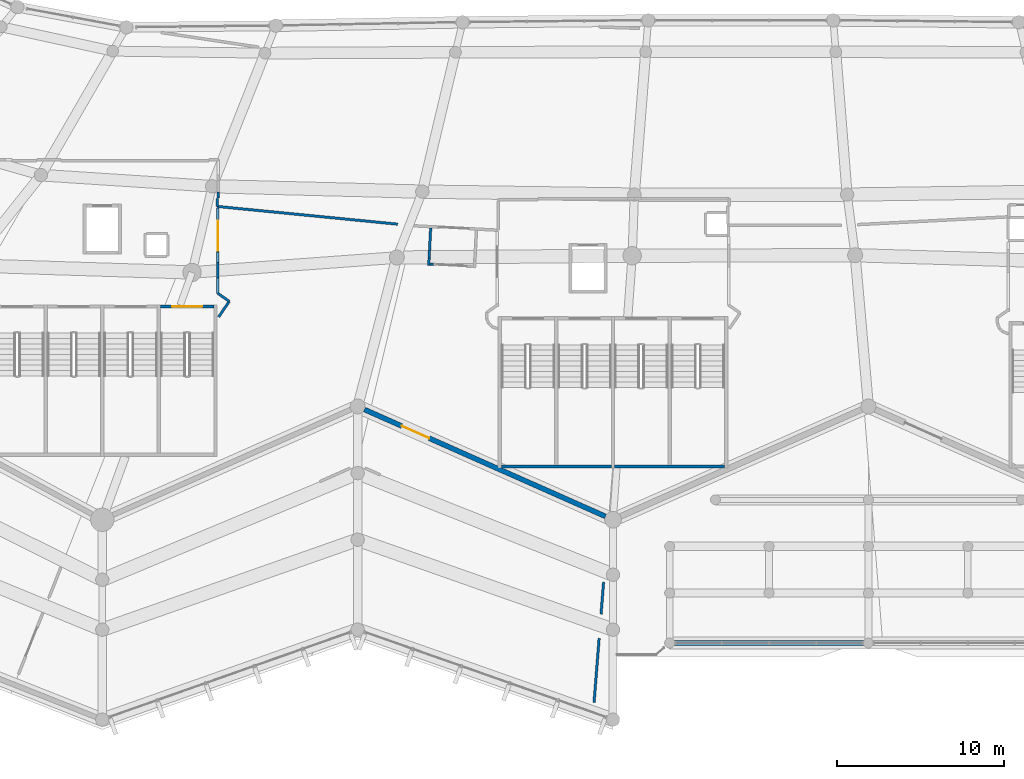
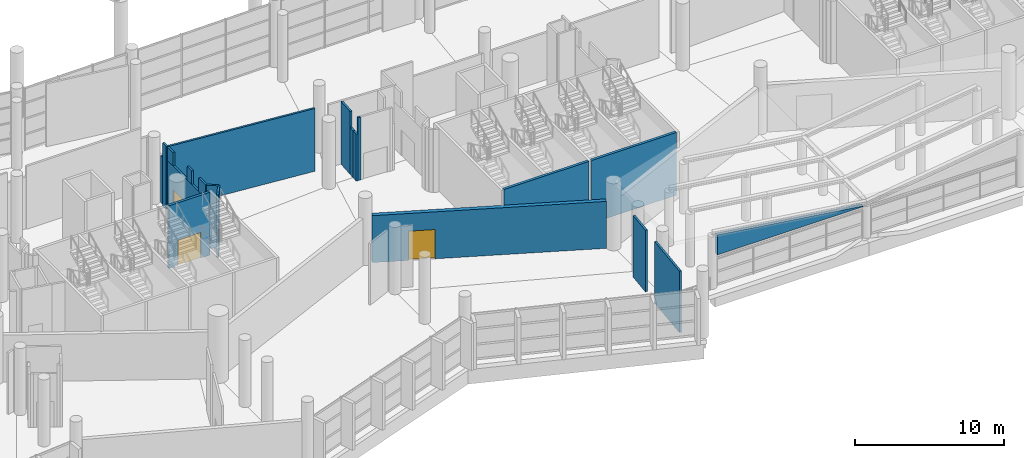
# One storey, part 163 of 271: 20 walls, 3 doors, 3 openings.
"""IFC4 building model written with IfcOpenShell, lengths in metres."""

import ifcopenshell
import ifcopenshell.guid

model = None  # the IFC model being written
_history = None  # IfcOwnerHistory: only IFC2X3 demands one
_inside = {}  # id of a spatial element -> (the spatial element, [elements in it])
_under = {}  # id of a project, library or spatial element -> (it, [spatial elements below it])
_declared = {}  # id of a project -> (the project, [libraries it declares])
_typed = {}  # id of a type object -> (the type object, [elements of that type])
_made_of = {}  # id of a material, layer set ... -> (it, [elements and type objects made of it])


def new_model(schema):
    """Start an empty IFC model of exactly this schema.

    Asked for "IFC4X3", IfcOpenShell would pick the latest addendum, in which some entities
    have other attributes; the version numbers below select the first issue.
    IFC2X3 requires an IfcOwnerHistory on every rooted entity: one is made here for all.
    """
    global model, _history
    if schema == "IFC4X3":
        model = ifcopenshell.file(schema_version=(4, 3, 0, 0))
    else:
        model = ifcopenshell.file(schema=schema)
    _inside.clear()
    _under.clear()
    _declared.clear()
    _typed.clear()
    _made_of.clear()
    _history = None
    if model.schema == "IFC2X3":
        org = make("IfcOrganization", Name="unknown")
        user = make(
            "IfcPersonAndOrganization",
            ThePerson=make("IfcPerson", FamilyName="unknown"),
            TheOrganization=org,
        )
        app = make(
            "IfcApplication",
            ApplicationDeveloper=org,
            Version="unknown",
            ApplicationFullName="unknown",
            ApplicationIdentifier="unknown",
        )
        _history = make(
            "IfcOwnerHistory",
            OwningUser=user,
            OwningApplication=app,
            ChangeAction="ADDED",
            CreationDate=0,
        )
    return model


def make(cls, **values):
    """One entity of the class cls with the attributes given. An attribute that is None is left unset."""
    return model.create_entity(
        cls, **{name: value for name, value in values.items() if value is not None}
    )


def rooted(cls, **values):
    """An entity with a GlobalId (a new one), such as an element, a storey or a relation."""
    return make(cls, GlobalId=ifcopenshell.guid.new(), OwnerHistory=_history, **values)


def si_unit(unit_type, name, prefix=None):
    """IfcSIUnit, for example si_unit("LENGTHUNIT", "METRE", prefix="MILLI")."""
    return make("IfcSIUnit", UnitType=unit_type, Prefix=prefix, Name=name)


def assignment(units):
    """IfcUnitAssignment: the units of a project."""
    return None if units is None else make("IfcUnitAssignment", Units=units)


def point(xyz):
    """IfcCartesianPoint."""
    return None if xyz is None else make("IfcCartesianPoint", Coordinates=xyz)


def direction(xyz):
    """IfcDirection."""
    return None if xyz is None else make("IfcDirection", DirectionRatios=xyz)


def frame(location, z_axis=None, x_axis=None):
    """IfcAxis2Placement3D, a coordinate frame: its origin and axes. An axis left out is left unset."""
    return make(
        "IfcAxis2Placement3D",
        Location=point(location),
        Axis=direction(z_axis),
        RefDirection=direction(x_axis),
    )


def frame_2d(location, x_axis=None):
    """IfcAxis2Placement2D, a coordinate frame in the plane: its origin and x axis."""
    return make(
        "IfcAxis2Placement2D", Location=point(location), RefDirection=direction(x_axis)
    )


def origin():
    """The frame at (0, 0, 0) with its axes left unset."""
    return frame((0.0, 0.0, 0.0))


def place(relative_to, where):
    """IfcLocalPlacement: puts the frame where relative to a parent placement (None: the world)."""
    return make(
        "IfcLocalPlacement", PlacementRelTo=relative_to, RelativePlacement=where
    )


def context(
    kind, dimensions, precision=None, world=None, true_north=None, identifier=None
):
    """IfcGeometricRepresentationContext, for example the 3D "Model" context."""
    return make(
        "IfcGeometricRepresentationContext",
        ContextIdentifier=identifier,
        ContextType=kind,
        CoordinateSpaceDimension=dimensions,
        Precision=precision,
        WorldCoordinateSystem=world,
        TrueNorth=true_north,
    )


def subcontext(parent, identifier, kind, view, scale=None):
    """IfcGeometricRepresentationSubContext, for example "Body" below "Model"."""
    return make(
        "IfcGeometricRepresentationSubContext",
        ContextIdentifier=identifier,
        ContextType=kind,
        ParentContext=parent,
        TargetScale=scale,
        TargetView=view,
    )


def project(units=None, contexts=None):
    """IfcProject with its units and contexts."""
    return rooted(
        "IfcProject",
        Name="project",
        RepresentationContexts=contexts,
        UnitsInContext=assignment(units),
    )


def spatial(cls, under=None, at=None, **own):
    """A site, building, storey or space (cls), placed at a placement, below another one or the project."""
    s = rooted(cls, ObjectPlacement=at, **own)
    if under is not None:
        _under.setdefault(under.id(), (under, []))[1].append(s)
    return s


def polyline(points):
    """IfcPolyline through the points."""
    return make("IfcPolyline", Points=[point(p) for p in points])


def profile(cls, at=None, kind="AREA", **sizes):
    """A parametric profile (cls). Its sizes go by their IFC names, for example OverallWidth=200.0."""
    return make(cls, ProfileType=kind, Position=at, **sizes)


def rectangle(**sizes):
    """IfcRectangleProfileDef."""
    return profile("IfcRectangleProfileDef", **sizes)


def outline(outer, holes=None, kind="AREA"):
    """IfcArbitraryClosedProfileDef: a profile drawn as a closed curve; with holes, ...WithVoids."""
    if holes is None:
        return make("IfcArbitraryClosedProfileDef", ProfileType=kind, OuterCurve=outer)
    return make(
        "IfcArbitraryProfileDefWithVoids",
        ProfileType=kind,
        OuterCurve=outer,
        InnerCurves=holes,
    )


def extrude(swept, where, along, depth):
    """IfcExtrudedAreaSolid: the profile swept, set in the frame where, extruded along a direction by depth."""
    return make(
        "IfcExtrudedAreaSolid",
        SweptArea=swept,
        Position=where,
        ExtrudedDirection=direction(along),
        Depth=depth,
    )


def shape(context_of_items, identifier, shape_type, items):
    """IfcShapeRepresentation: the items that make up one representation, for example the "Body"."""
    return make(
        "IfcShapeRepresentation",
        ContextOfItems=context_of_items,
        RepresentationIdentifier=identifier,
        RepresentationType=shape_type,
        Items=items,
    )


def material(Name=None, Category=None):
    """IfcMaterial."""
    return make("IfcMaterial", Name=Name, Category=Category)


def layer(
    of_material, thickness, ventilated=None, Name=None, Category=None, Priority=None
):
    """IfcMaterialLayer: one layer of a wall or slab, of a material (None: an air gap)."""
    return make(
        "IfcMaterialLayer",
        Material=of_material,
        LayerThickness=thickness,
        IsVentilated=ventilated,
        Name=Name,
        Category=Category,
        Priority=Priority,
    )


def layer_set(layers, Name=None):
    """IfcMaterialLayerSet."""
    return make("IfcMaterialLayerSet", MaterialLayers=layers, LayerSetName=Name)


def made_of(thing, what):
    """Note that an element or type object is made of a material, layer set ...; save() writes the relation."""
    if what is not None:
        _made_of.setdefault(what.id(), (what, []))[1].append(thing)
    return thing


def type_object(cls, material=None, **own):
    """A type object (cls), such as IfcWallType, which elements share."""
    return made_of(rooted(cls, **own), material)


def element(
    cls,
    number,
    at=None,
    inside=None,
    cuts=None,
    type_object=None,
    material=None,
    context=None,
    identifier="Body",
    shape_type=None,
    held_by="IfcProductDefinitionShape",
    body=None,
    shapes=None,
    **own,
):
    """One element of the class cls, such as IfcWall. Its Tag is "e" and its number.

    at: its placement. inside: the storey or other place that contains it. cuts: it is an
    opening in that element (IfcRelVoidsElement). A single representation is given by context,
    identifier, shape_type and body (its items); several are given by shapes. held_by: the class
    of the entity that holds the representations. save() writes the other relations.
    """
    e = rooted(cls, Tag="e%d" % number, ObjectPlacement=at, **own)
    if body is not None:
        shapes = [shape(context, identifier, shape_type, body)]
    if shapes is not None:
        e.Representation = make(held_by, Representations=shapes)
    if inside is not None:
        _inside.setdefault(inside.id(), (inside, []))[1].append(e)
    if cuts is not None:
        rooted(
            "IfcRelVoidsElement", RelatingBuildingElement=cuts, RelatedOpeningElement=e
        )
    if type_object is not None:
        _typed.setdefault(type_object.id(), (type_object, []))[1].append(e)
    return made_of(e, material)


def fill(opening, filler):
    """IfcRelFillsElement: the door or window that sits in an opening."""
    return rooted(
        "IfcRelFillsElement",
        RelatingOpeningElement=opening,
        RelatedBuildingElement=filler,
    )


def aggregate(whole, parts):
    """IfcRelAggregates: a whole, such as a stair, and the parts it consists of."""
    return rooted("IfcRelAggregates", RelatingObject=whole, RelatedObjects=parts)


def save(model, path):
    """Write the relations noted so far, then the file.

    IfcRelAggregates (storeys below a building ...), IfcRelContainedInSpatialStructure (elements
    in a storey), IfcRelDefinesByType, IfcRelAssociatesMaterial and IfcRelDeclares: one each for
    every whole, place, type object, material and project.
    """
    for whole, parts in _under.values():
        aggregate(whole, parts)
    for where, things in _inside.values():
        rooted(
            "IfcRelContainedInSpatialStructure",
            RelatedElements=things,
            RelatingStructure=where,
        )
    for kind, things in _typed.values():
        rooted("IfcRelDefinesByType", RelatedObjects=things, RelatingType=kind)
    for what, things in _made_of.values():
        rooted("IfcRelAssociatesMaterial", RelatedObjects=things, RelatingMaterial=what)
    for by, libraries in _declared.values():
        rooted("IfcRelDeclares", RelatingContext=by, RelatedDefinitions=libraries)
    model.write(path)


model = new_model("IFC4")

# Units and contexts
model_context = context("Model", 3, precision=1e-05, world=origin(), true_north=direction((0.0, 1.0)))
body_context = subcontext(model_context, "Body", "Model", "MODEL_VIEW")
ifc_project = project(units=[si_unit("LENGTHUNIT", "METRE"), si_unit("AREAUNIT", "SQUARE_METRE"), si_unit("VOLUMEUNIT", "CUBIC_METRE"), si_unit("PLANEANGLEUNIT", "RADIAN"), si_unit("MASSUNIT", "GRAM", prefix="KILO")], contexts=[model_context])

# Site, building, storey
site_placement = place(None, origin())
site = spatial("IfcSite", under=ifc_project, at=site_placement, CompositionType="ELEMENT")
building_placement = place(site_placement, origin())
building = spatial("IfcBuilding", under=site, at=building_placement, Name="Meseta Stadium", CompositionType="ELEMENT")
storey_placement = place(building_placement, frame((0.0, 0.0, 6.5)))
storey = spatial("IfcBuildingStorey", under=building, at=storey_placement, Name="L01", CompositionType="ELEMENT", Elevation=6.5)

# Wall, opening, door
ifc_material_1 = material(Name="Concrete C40/50", Category="concrete")
ifc_layer_1 = layer(ifc_material_1, 0.199951171875)
ifc_layer_set_1 = layer_set([ifc_layer_1], Name="Core shaft wall 200")
wall_type_1 = type_object("IfcWallType", Name="Core shaft wall 200", PredefinedType="SHEAR", material=ifc_layer_set_1)
wall_1_placement = place(storey_placement, frame((-34.833251953125, -92.60009765625, 0.0), z_axis=(0.0, 0.0, 1.0), x_axis=(1.0, 0.0, 0.0)))
wall_1 = element("IfcWall", 1, at=wall_1_placement, inside=storey, type_object=wall_type_1, Name="Core 23 L01 stair B2 inner end wall", PredefinedType="SHEAR", context=body_context, shape_type="SweptSolid", body=[
    extrude(rectangle(XDim=3.199951171875, YDim=0.199951171875, at=frame_2d((1.60009765625, 0.0))), origin(), (0.0, 0.0, 1.0), 5.14990234375),
])
opening_1_placement = place(wall_1_placement, frame((0.699951171875, 0.0, 0.0)))
opening_1 = element("IfcOpeningElement", 2, at=opening_1_placement, cuts=wall_1, Name="Opening D316", PredefinedType="OPENING", context=body_context, shape_type="SweptSolid", body=[
    extrude(rectangle(XDim=1.800048828125, YDim=2.10009765625, at=frame_2d((0.89990234375, 1.050048828125))), frame((0.0, 0.10986328125, 0.0), z_axis=(0.0, -1.0, 0.0), x_axis=(1.0, 0.0, 0.0)), (0.0, 0.0, 1.0), 0.219970703125),
])
ifc_material_2 = material(Name="Steel", Category="steel")
door_type_1 = type_object("IfcDoorType", Name="Stair door 1800x2100", OperationType="DOUBLE_DOOR_SINGLE_SWING", PredefinedType="DOOR", material=ifc_material_2)
door_1_placement = place(opening_1_placement, origin())
door_1 = element("IfcDoor", 3, at=door_1_placement, inside=storey, type_object=door_type_1, Name="Stair B2 door 23 L01", OperationType="DOUBLE_DOOR_SINGLE_SWING", OverallHeight=2.10009765625, OverallWidth=1.800048828125, PredefinedType="DOOR", context=body_context, shape_type="SweptSolid", body=[
    extrude(rectangle(XDim=1.800048828125, YDim=2.10009765625, at=frame_2d((0.89990234375, 1.050048828125))), frame((0.0, 0.02490234375, 0.0), z_axis=(0.0, -1.0, 0.0), x_axis=(1.0, 0.0, 0.0)), (0.0, 0.0, 1.0), 0.050048828125),
])
fill(opening_1, door_1)

# Walls
wall_2_placement = place(storey_placement, frame((-14.36669921875, -102.199951171875, 0.0), z_axis=(0.0, 0.0, 1.0), x_axis=(1.0, 0.0, 0.0)))
element("IfcWall", 4, at=wall_2_placement, inside=storey, type_object=wall_type_1, Name="Core 24 L01 stair A outer end wall", PredefinedType="SHEAR", context=body_context, shape_type="SweptSolid", body=[
    extrude(rectangle(XDim=6.60009765625, YDim=0.199951171875, at=frame_2d((3.300048828125, 0.0))), origin(), (0.0, 0.0, 1.0), 5.14990234375),
])
wall_3_placement = place(storey_placement, frame((-7.566650390625, -102.199951171875, 0.0), z_axis=(0.0, 0.0, 1.0), x_axis=(1.0, 0.0, 0.0)))
element("IfcWall", 5, at=wall_3_placement, inside=storey, type_object=wall_type_1, Name="Core 24 L01 stair B outer end wall", PredefinedType="SHEAR", context=body_context, shape_type="SweptSolid", body=[
    extrude(rectangle(XDim=6.599853515625, YDim=0.199951171875, at=frame_2d((3.2998046875, 0.0))), origin(), (0.0, 0.0, 1.0), 5.14990234375),
])
ifc_material_3 = material(Name="Precast concrete C40/50", Category="concrete")
ifc_layer_2 = layer(ifc_material_3, 0.300048828125)
ifc_layer_set_2 = layer_set([ifc_layer_2], Name="Gate facade panel wall 300")
wall_type_2 = type_object("IfcWallType", Name="Gate facade panel wall 300", PredefinedType="SOLIDWALL", material=ifc_layer_set_2)
wall_4_placement = place(storey_placement, frame((-3.966796875, -112.800048828125, 2.599365234375), z_axis=(0.0, 0.0, 1.0), x_axis=(1.0, 0.0, 0.0)))
element("IfcWall", 6, at=wall_4_placement, inside=storey, type_object=wall_type_2, Name="Gate 7 gable panel wall", PredefinedType="SOLIDWALL", context=body_context, shape_type="SweptSolid", body=[
    extrude(outline(polyline([(0.0, 0.0), (11.33349609375, 0.0), (11.333251953125, 0.052001953125), (0.0, 1.638671875), (0.0, 0.0)])), frame((0.0, 0.14990234375, 0.0), z_axis=(0.0, -1.0, 0.0), x_axis=(1.0, 0.0, 0.0)), (0.0, 0.0, 1.0), 0.300048828125),
])
ifc_material_4 = material(Name="Masonry blockwork", Category="masonry")
ifc_layer_3 = layer(ifc_material_4, 0.14990234375)
ifc_layer_set_3 = layer_set([ifc_layer_3], Name="Partition 150")
wall_type_3 = type_object("IfcWallType", Name="Partition 150", PredefinedType="PARTITIONING", material=ifc_layer_set_3)
wall_5_placement = place(storey_placement, frame((-20.5927734375, -87.6533203125, 0.0), z_axis=(0.0, 0.0, 1.0), x_axis=(-0.995211610703, 0.097743797362, 0.0)))
element("IfcWall", 7, at=wall_5_placement, inside=storey, type_object=wall_type_3, Name="Partition L01 L01-cell22-0-0", PredefinedType="PARTITIONING", context=body_context, shape_type="SweptSolid", body=[
    extrude(rectangle(XDim=10.892822265625, YDim=0.14990234375, at=frame_2d((5.4462890625, 0.0))), origin(), (0.0, 0.0, 1.0), 5.14990234375),
])
wall_6_placement = place(storey_placement, frame((-31.433349609375, -86.588623046875, 0.0), z_axis=(0.0, 0.0, 1.0), x_axis=(0.0, 1.0, 0.0)))
element("IfcWall", 8, at=wall_6_placement, inside=storey, type_object=wall_type_3, Name="Partition L01 L01-cell22-0-0", PredefinedType="PARTITIONING", context=body_context, shape_type="SweptSolid", body=[
    extrude(rectangle(XDim=0.48974609375, YDim=0.14990234375, at=frame_2d((0.244873046875, 0.0))), origin(), (0.0, 0.0, 1.0), 5.14990234375),
])
wall_7_placement = place(storey_placement, frame((-8.23388671875, -109.147216796875, 0.0), z_axis=(0.0, 0.0, 1.0), x_axis=(-0.079152200881, -0.996862542729, 0.0)))
element("IfcWall", 9, at=wall_7_placement, inside=storey, type_object=wall_type_3, Name="Partition L01 L01-ring22-0", PredefinedType="PARTITIONING", context=body_context, shape_type="SweptSolid", body=[
    extrude(rectangle(XDim=1.930908203125, YDim=0.14990234375, at=frame_2d((0.96533203125, 0.0))), origin(), (0.0, 0.0, 1.0), 5.050048828125),
])
wall_8_placement = place(storey_placement, frame((-8.501220703125, -112.515625, 0.0), z_axis=(0.0, 0.0, 1.0), x_axis=(-0.079152200881, -0.996862542729, 0.0)))
element("IfcWall", 10, at=wall_8_placement, inside=storey, type_object=wall_type_3, Name="Partition L01 L01-ring22-0", PredefinedType="PARTITIONING", context=body_context, shape_type="SweptSolid", body=[
    extrude(rectangle(XDim=3.86181640625, YDim=0.14990234375, at=frame_2d((1.930908203125, 0.0))), origin(), (0.0, 0.0, 1.0), 5.050048828125),
])
wall_9_placement = place(storey_placement, frame((-31.34375, -93.2197265625, 0.0), z_axis=(0.0, 0.0, 1.0), x_axis=(0.562120553728, 0.827055308354, 0.0)))
element("IfcWall", 11, at=wall_9_placement, inside=storey, type_object=wall_type_3, Name="Stair vestibule wall L01 core 23", PredefinedType="PARTITIONING", context=body_context, shape_type="SweptSolid", body=[
    extrude(rectangle(XDim=1.1279296875, YDim=0.14990234375, at=frame_2d((0.56396484375, 0.0))), origin(), (0.0, 0.0, 1.0), 5.14990234375),
])
wall_10_placement = place(storey_placement, frame((-30.709716796875, -92.286865234375, 0.0), z_axis=(0.0, 0.0, 1.0), x_axis=(-0.81774999294, 0.575573582652, 0.0)))
element("IfcWall", 12, at=wall_10_placement, inside=storey, type_object=wall_type_3, Name="Stair vestibule wall L01 core 23", PredefinedType="PARTITIONING", context=body_context, shape_type="SweptSolid", body=[
    extrude(rectangle(XDim=0.82958984375, YDim=0.14990234375, at=frame_2d((0.414794921875, 0.0))), origin(), (0.0, 0.0, 1.0), 5.14990234375),
])

# Wall, opening, door
wall_11_placement = place(storey_placement, frame((-31.38818359375, -91.809326171875, 0.0), z_axis=(0.0, 0.0, 1.0), x_axis=(0.0, 1.0, 0.0)))
wall_11 = element("IfcWall", 13, at=wall_11_placement, inside=storey, type_object=wall_type_3, Name="Stair vestibule wall L01 core 23", PredefinedType="PARTITIONING", context=body_context, shape_type="SweptSolid", body=[
    extrude(rectangle(XDim=5.132568359375, YDim=0.14990234375, at=frame_2d((2.56640625, 0.0))), origin(), (0.0, 0.0, 1.0), 4.050048828125),
])
opening_2_placement = place(wall_11_placement, frame((2.550048828125, 0.0, 0.0)))
opening_2 = element("IfcOpeningElement", 14, at=opening_2_placement, cuts=wall_11, Name="Opening D802", PredefinedType="OPENING", context=body_context, shape_type="SweptSolid", body=[
    extrude(rectangle(XDim=1.800048828125, YDim=2.10009765625, at=frame_2d((0.89990234375, 1.050048828125))), frame((0.0, 0.0849609375, 0.0), z_axis=(0.0, -1.0, 0.0), x_axis=(1.0, 0.0, 0.0)), (0.0, 0.0, 1.0), 0.169921875),
])
ifc_material_5 = material(Name="Steel", Category="steel")
door_type_2 = type_object("IfcDoorType", Name="Fire double door 1800x2100 EI2 60", OperationType="DOUBLE_DOOR_SINGLE_SWING", PredefinedType="DOOR", material=ifc_material_5)
door_2_placement = place(opening_2_placement, origin())
door_2 = element("IfcDoor", 15, at=door_2_placement, inside=storey, type_object=door_type_2, Name="Stair vestibule door L01 core 23", OperationType="DOUBLE_DOOR_SINGLE_SWING", OverallHeight=2.10009765625, OverallWidth=1.800048828125, PredefinedType="DOOR", context=body_context, shape_type="SweptSolid", body=[
    extrude(rectangle(XDim=1.800048828125, YDim=2.10009765625, at=frame_2d((0.89990234375, 1.050048828125))), frame((0.0, 0.02490234375, 0.0), z_axis=(0.0, -1.0, 0.0), x_axis=(1.0, 0.0, 0.0)), (0.0, 0.0, 1.0), 0.050048828125),
])
fill(opening_2, door_2)

# Walls
wall_12_placement = place(storey_placement, frame((-31.38818359375, -91.809326171875, 4.050048828125), z_axis=(0.0, 0.0, 1.0), x_axis=(0.0, 1.0, 0.0)))
element("IfcWall", 16, at=wall_12_placement, inside=storey, type_object=wall_type_3, Name="Stair vestibule wall L01 core 23", PredefinedType="PARTITIONING", context=body_context, shape_type="SweptSolid", body=[
    extrude(rectangle(XDim=0.934814453125, YDim=0.14990234375, at=frame_2d((0.46728515625, 0.0))), origin(), (0.0, 0.0, 1.0), 1.099853515625),
])
wall_13_placement = place(storey_placement, frame((-31.38818359375, -89.939697265625, 4.050048828125), z_axis=(0.0, 0.0, 1.0), x_axis=(0.0, 1.0, 0.0)))
element("IfcWall", 17, at=wall_13_placement, inside=storey, type_object=wall_type_3, Name="Stair vestibule wall L01 core 23", PredefinedType="PARTITIONING", context=body_context, shape_type="SweptSolid", body=[
    extrude(rectangle(XDim=0.63037109375, YDim=0.14990234375, at=frame_2d((0.315185546875, 0.0))), origin(), (0.0, 0.0, 1.0), 1.099853515625),
])
wall_14_placement = place(storey_placement, frame((-31.3583984375, -86.0888671875, 0.0), z_axis=(0.0, 0.0, 1.0), x_axis=(0.0, 1.0, 0.0)))
element("IfcWall", 18, at=wall_14_placement, inside=storey, type_object=wall_type_3, Name="Stair vestibule wall L01 core 23", PredefinedType="PARTITIONING", context=body_context, shape_type="SweptSolid", body=[
    extrude(rectangle(XDim=0.379638671875, YDim=0.14990234375, at=frame_2d((0.18994140625, 0.0))), origin(), (0.0, 0.0, 1.0), 3.85009765625),
])
wall_15_placement = place(storey_placement, frame((-18.614990234375, -87.87744140625, 0.0), z_axis=(0.0, 0.0, 1.0), x_axis=(-0.05280561474, -0.998604810249, 0.0)))
element("IfcWall", 19, at=wall_15_placement, inside=storey, type_object=wall_type_3, Name="Partition L01 L01-cell22-0-0 vestibule", PredefinedType="PARTITIONING", context=body_context, shape_type="SweptSolid", body=[
    extrude(rectangle(XDim=1.35009765625, YDim=0.14990234375, at=frame_2d((0.675048828125, 0.0))), origin(), (0.0, 0.0, 1.0), 5.14990234375),
])
wall_16_placement = place(storey_placement, frame((-18.686279296875, -89.2255859375, 0.0), z_axis=(0.0, 0.0, 1.0), x_axis=(-0.052644289572, -0.998613327958, 0.0)))
element("IfcWall", 20, at=wall_16_placement, inside=storey, type_object=wall_type_3, Name="Partition L01 L01-cell22-0-0 vestibule", PredefinedType="PARTITIONING", context=body_context, shape_type="SweptSolid", body=[
    extrude(rectangle(XDim=0.449951171875, YDim=0.14990234375, at=frame_2d((0.22509765625, 0.0))), origin(), (0.0, 0.0, 1.0), 3.85009765625),
])
wall_17_placement = place(storey_placement, frame((-18.7099609375, -89.6748046875, 0.0), z_axis=(0.0, 0.0, 1.0), x_axis=(-0.052615773272, -0.998614830855, 0.0)))
element("IfcWall", 21, at=wall_17_placement, inside=storey, type_object=wall_type_3, Name="Partition L01 L01-cell22-0-0 vestibule", PredefinedType="PARTITIONING", context=body_context, shape_type="SweptSolid", body=[
    extrude(rectangle(XDim=0.4501953125, YDim=0.14990234375, at=frame_2d((0.22509765625, 0.0))), origin(), (0.0, 0.0, 1.0), 3.85009765625),
])
wall_18_placement = place(storey_placement, frame((-18.455078125, -90.06396484375, 0.0), z_axis=(0.0, 0.0, 1.0), x_axis=(-0.998556464137, 0.053712083646, 0.0)))
element("IfcWall", 22, at=wall_18_placement, inside=storey, type_object=wall_type_3, Name="Partition L01 L01-cell22-0-0 vestibule", PredefinedType="PARTITIONING", context=body_context, shape_type="SweptSolid", body=[
    extrude(rectangle(XDim=0.199951171875, YDim=0.14990234375, at=frame_2d((0.10009765625, 0.0))), origin(), (0.0, 0.0, 1.0), 5.14990234375),
])
wall_19_placement = place(storey_placement, frame((-31.38818359375, -87.4091796875, 4.050048828125), z_axis=(0.0, 0.0, 1.0), x_axis=(0.0, 1.0, 0.0)))
element("IfcWall", 23, at=wall_19_placement, inside=storey, type_object=wall_type_3, Name="Stair vestibule wall L01 core 23", PredefinedType="PARTITIONING", context=body_context, shape_type="SweptSolid", body=[
    extrude(rectangle(XDim=0.732421875, YDim=0.14990234375, at=frame_2d((0.3662109375, 0.0))), origin(), (0.0, 0.0, 1.0), 1.099853515625),
])

# Wall, opening, door
ifc_material_6 = material(Name="White precast concrete C40/50", Category="concrete")
ifc_layer_4 = layer(ifc_material_6, 0.300048828125)
ifc_layer_set_4 = layer_set([ifc_layer_4], Name="Pleated panel wall 300 concourse")
wall_type_4 = type_object("IfcWallType", Name="Pleated panel wall 300 concourse", PredefinedType="SOLIDWALL", material=ifc_layer_set_4)
wall_20_placement = place(storey_placement, frame((-8.123291015625, -105.197509765625, 0.0), z_axis=(0.0, 0.0, 1.0), x_axis=(-0.914138897099, 0.405401130748, 0.0)))
wall_20 = element("IfcWall", 24, at=wall_20_placement, inside=storey, type_object=wall_type_4, Name="Pleated facade panel L01 F45", PredefinedType="SOLIDWALL", context=body_context, shape_type="SweptSolid", body=[
    extrude(rectangle(XDim=15.824462890625, YDim=0.300048828125, at=frame_2d((7.912109375, 0.0))), origin(), (0.0, 0.0, 1.0), 3.85009765625),
])
opening_3_placement = place(wall_20_placement, frame((11.573974609375, 0.0, 0.0)))
opening_3 = element("IfcOpeningElement", 25, at=opening_3_placement, cuts=wall_20, Name="Opening D994", PredefinedType="OPENING", context=body_context, shape_type="SweptSolid", body=[
    extrude(rectangle(XDim=1.800048828125, YDim=2.39990234375, at=frame_2d((0.89990234375, 1.199951171875))), frame((0.0, 0.159912109375, 0.0), z_axis=(0.0, -1.0, 0.0), x_axis=(1.0, 0.0, 0.0)), (0.0, 0.0, 1.0), 0.320068359375),
])
ifc_material_7 = material(Name="Steel", Category="steel")
door_type_3 = type_object("IfcDoorType", Name="Concourse double door 1800x2400", OperationType="DOUBLE_DOOR_SINGLE_SWING", PredefinedType="DOOR", material=ifc_material_7)
door_3_placement = place(opening_3_placement, origin())
door_3 = element("IfcDoor", 26, at=door_3_placement, inside=storey, type_object=door_type_3, Name="Concourse door", OperationType="DOUBLE_DOOR_SINGLE_SWING", OverallHeight=2.39990234375, OverallWidth=1.800048828125, PredefinedType="DOOR", context=body_context, shape_type="SweptSolid", body=[
    extrude(rectangle(XDim=1.800048828125, YDim=2.39990234375, at=frame_2d((0.89990234375, 1.199951171875))), frame((0.0, 0.02490234375, 0.0), z_axis=(0.0, -1.0, 0.0), x_axis=(1.0, 0.0, 0.0)), (0.0, 0.0, 1.0), 0.050048828125),
])
fill(opening_3, door_3)

save(model, "model.ifc")
